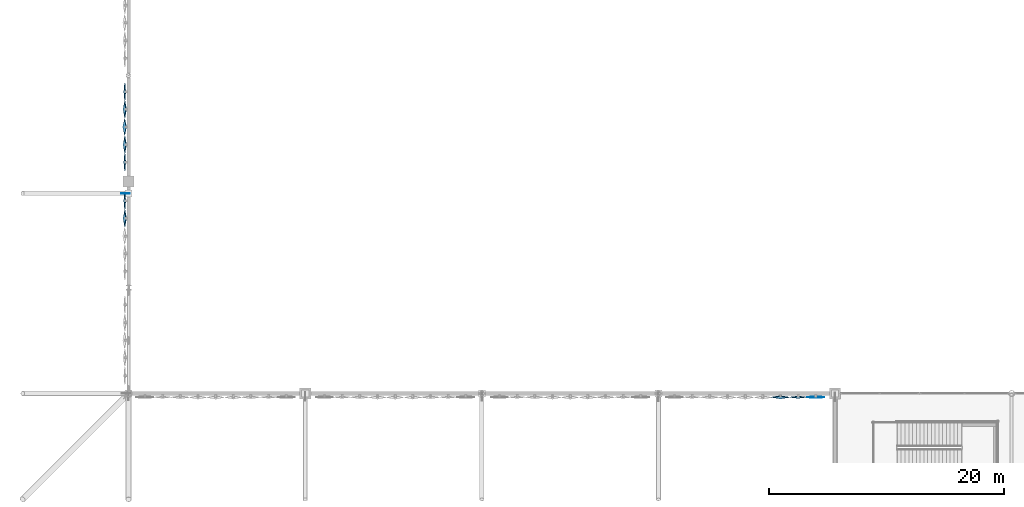
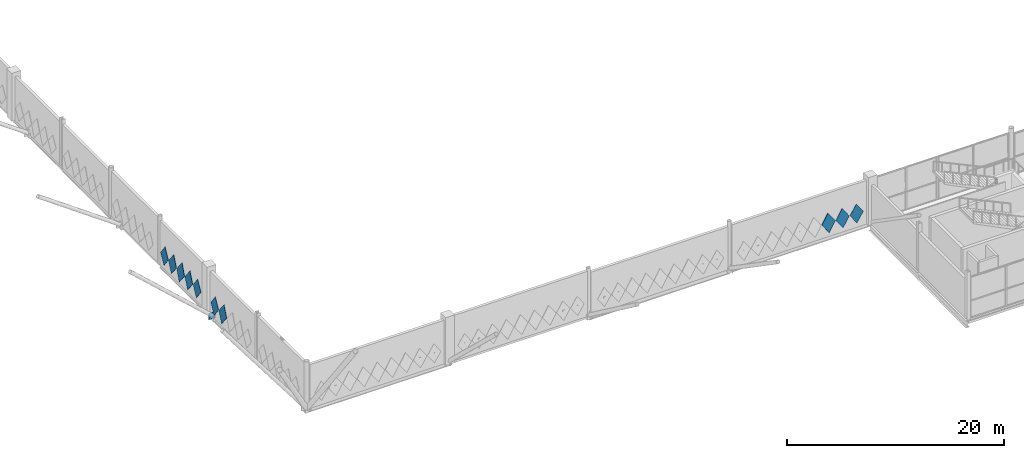
# One storey, part 68 of 119: 11 plates.
"""IFC4 building model written with IfcOpenShell, lengths in metres."""

from ifc_helpers import new_model, si_unit, direction, frame, origin, origin_2d, place, context, subcontext, project, spatial, polyline, rectangle, outline, extrude, material, layer, layer_set, type_object, element, save


model = new_model("IFC4")

# Units and contexts
model_context = context("Model", 3, precision=1e-05, world=origin(), true_north=direction((0.0, 1.0)))
body_context = subcontext(model_context, "Body", "Model", "MODEL_VIEW")
ifc_project = project(units=[si_unit("LENGTHUNIT", "METRE"), si_unit("AREAUNIT", "SQUARE_METRE"), si_unit("VOLUMEUNIT", "CUBIC_METRE"), si_unit("PLANEANGLEUNIT", "RADIAN"), si_unit("MASSUNIT", "GRAM", prefix="KILO")], contexts=[model_context])

# Site, building, storey
site_placement = place(None, origin())
site = spatial("IfcSite", under=ifc_project, at=site_placement, CompositionType="ELEMENT")
building_placement = place(site_placement, origin())
building = spatial("IfcBuilding", under=site, at=building_placement, Name="Qamarlyn Nura Convention Centre", CompositionType="ELEMENT")
storey_placement = place(building_placement, frame((0.0, 0.0, 5.39990234375)))
storey = spatial("IfcBuildingStorey", under=building, at=storey_placement, Name="L01", CompositionType="ELEMENT", Elevation=5.39990234375)

# Plates
ifc_material_1 = material(Name="White high-albedo PVDF aluminium composite sheet", Category="aluminium")
ifc_layer_1 = layer(ifc_material_1, 0.02001953125, Name="FP-DIAM-02")
ifc_layer_set_1 = layer_set([ifc_layer_1], Name="White high-albedo PVDF aluminium composite sheet")
plate_type_1 = type_object("IfcPlateType", Name="FP-DIAM-02", PredefinedType="SHEET", material=ifc_layer_set_1)
plate_1_placement = place(storey_placement, frame((58.364013671875, 17.68994140625, 1.7001953125), z_axis=(0.0, -0.998922518042, 0.046409082599), x_axis=(1.0, 0.0, 0.0)))
element("IfcPlate", 1, at=plate_1_placement, inside=storey, type_object=plate_type_1, Name="L01 pivoted white diamond facade tile 0123", PredefinedType="SHEET", context=body_context, shape_type="SweptSolid", body=[
    extrude(outline(polyline([(-0.719970703125, 0.0), (0.0, -1.050048828125), (0.719970703125, 0.0), (0.0, 1.050048828125), (-0.719970703125, 0.0)])), origin(), (0.0, 0.0, 1.0), 0.02001953125),
])
ifc_layer_2 = layer(ifc_material_1, 0.02392578125, Name="FP-DIAM-03")
ifc_layer_set_2 = layer_set([ifc_layer_2], Name="White high-albedo PVDF aluminium composite sheet")
plate_type_2 = type_object("IfcPlateType", Name="FP-DIAM-03", PredefinedType="SHEET", material=ifc_layer_set_2)
for number, where, z_axis, x_axis, name in (
    (2, (-0.31005859375, 34.36865234375, 1.7001953125), (-0.998059468659, 0.0, 0.062267945373), (0.0, -1.0, 0.0), "L01 pivoted white diamond facade tile 0058"),
    (3, (-0.31005859375, 37.635986328125, 1.7001953125), (-0.998059468659, 0.0, 0.062267945373), (0.0, -1.0, 0.0), "L01 pivoted white diamond facade tile 0059"),
    (4, (-0.31005859375, 43.635986328125, 1.7001953125), (-0.998059468659, 0.0, 0.062267945373), (0.0, -1.0, 0.0), "L01 pivoted white diamond facade tile 0063"),
):
    element("IfcPlate", number, at=place(storey_placement, frame(where, z_axis=z_axis, x_axis=x_axis)), inside=storey, type_object=plate_type_2, Name=name, PredefinedType="SHEET", context=body_context, shape_type="SweptSolid", body=[
        extrude(outline(polyline([(-0.719970703125, 0.0), (0.0, -1.050048828125), (0.719970703125, 0.0), (0.0, 1.050048828125), (-0.719970703125, 0.0)])), origin(), (0.0, 0.0, 1.0), 0.02392578125),
    ])
ifc_layer_3 = layer(ifc_material_1, 0.02587890625, Name="FP-DIAM-04")
ifc_layer_set_3 = layer_set([ifc_layer_3], Name="White high-albedo PVDF aluminium composite sheet")
plate_type_3 = type_object("IfcPlateType", Name="FP-DIAM-04", PredefinedType="SHEET", material=ifc_layer_set_3)
plate_2_placement = place(storey_placement, frame((56.864013671875, 17.68994140625, 1.7001953125), z_axis=(0.0, -0.996419457129, 0.084547415428), x_axis=(1.0, 0.0, 0.0)))
element("IfcPlate", 5, at=plate_2_placement, inside=storey, type_object=plate_type_3, Name="L01 pivoted white diamond facade tile 0124", PredefinedType="SHEET", context=body_context, shape_type="SweptSolid", body=[
    extrude(outline(polyline([(-0.719970703125, 0.0), (0.0, -1.050048828125), (0.719970703125, 0.0), (0.0, 1.050048828125), (-0.719970703125, 0.0)])), origin(), (0.0, 0.0, 1.0), 0.02587890625),
])
ifc_layer_4 = layer(ifc_material_1, 0.0380859375, Name="FP-DIAM-07")
ifc_layer_set_4 = layer_set([ifc_layer_4], Name="White high-albedo PVDF aluminium composite sheet")
plate_type_4 = type_object("IfcPlateType", Name="FP-DIAM-07", PredefinedType="SHEET", material=ifc_layer_set_4)
for number, where, z_axis, x_axis, name in (
    (6, (-0.31005859375, 32.86865234375, 1.7001953125), (-0.99271534578, 0.0, 0.120483369194), (0.0, -1.0, 0.0), "L01 pivoted white diamond facade tile 0057"),
    (7, (-0.31005859375, 39.135986328125, 1.7001953125), (-0.99271534578, 0.0, 0.120483369194), (0.0, -1.0, 0.0), "L01 pivoted white diamond facade tile 0060"),
    (8, (-0.31005859375, 42.135986328125, 1.7001953125), (-0.99271534578, 0.0, 0.120483369194), (0.0, -1.0, 0.0), "L01 pivoted white diamond facade tile 0062"),
    (9, (55.364013671875, 17.68994140625, 1.7001953125), (0.0, -0.993312448482, 0.115457263478), (1.0, 0.0, 0.0), "L01 pivoted white diamond facade tile 0125"),
):
    element("IfcPlate", number, at=place(storey_placement, frame(where, z_axis=z_axis, x_axis=x_axis)), inside=storey, type_object=plate_type_4, Name=name, PredefinedType="SHEET", context=body_context, shape_type="SweptSolid", body=[
        extrude(outline(polyline([(-0.719970703125, 0.0), (0.0, -1.050048828125), (0.719970703125, 0.0), (0.0, 1.050048828125), (-0.719970703125, 0.0)])), origin(), (0.0, 0.0, 1.0), 0.0380859375),
    ])
ifc_layer_5 = layer(ifc_material_1, 0.0439453125, Name="FP-DIAM-08")
ifc_layer_set_5 = layer_set([ifc_layer_5], Name="White high-albedo PVDF aluminium composite sheet")
plate_type_5 = type_object("IfcPlateType", Name="FP-DIAM-08", PredefinedType="SHEET", material=ifc_layer_set_5)
plate_3_placement = place(storey_placement, frame((-0.31005859375, 40.635986328125, 1.7001953125), z_axis=(-0.989776230908, 0.0, 0.142628933706), x_axis=(0.0, -1.0, 0.0)))
element("IfcPlate", 10, at=plate_3_placement, inside=storey, type_object=plate_type_5, Name="L01 pivoted white diamond facade tile 0061", PredefinedType="SHEET", context=body_context, shape_type="SweptSolid", body=[
    extrude(outline(polyline([(-0.719970703125, 0.0), (0.0, -1.050048828125), (0.719970703125, 0.0), (0.0, 1.050048828125), (-0.719970703125, 0.0)])), origin(), (0.0, 0.0, 1.0), 0.0439453125),
])
ifc_material_2 = material(Name="Structural steel ASTM A572 Grade 50", Category="steel")
ifc_layer_6 = layer(ifc_material_2, 0.048095703125, Name="GP-SN3")
ifc_layer_set_6 = layer_set([ifc_layer_6], Name="Structural steel ASTM A572 Grade 50")
plate_type_6 = type_object("IfcPlateType", Name="GP-SN3", PredefinedType="USERDEFINED", material=ifc_layer_set_6)
plate_4_placement = place(storey_placement, frame((-0.2509765625, 35.0, -0.13037109375), z_axis=(0.0, 0.0, 1.0), x_axis=(1.0, 0.0, 0.0)))
element("IfcPlate", 11, at=plate_4_placement, inside=storey, type_object=plate_type_6, Name="Tree strut gusset plate W-3-B", ObjectType="GUSSET PLATE", PredefinedType="USERDEFINED", context=body_context, shape_type="SweptSolid", body=[
    extrude(rectangle(XDim=0.719970703125, YDim=0.048095703125, at=origin_2d()), origin(), (0.0, 0.0, 1.0), 0.719970703125),
])

save(model, "model.ifc")
